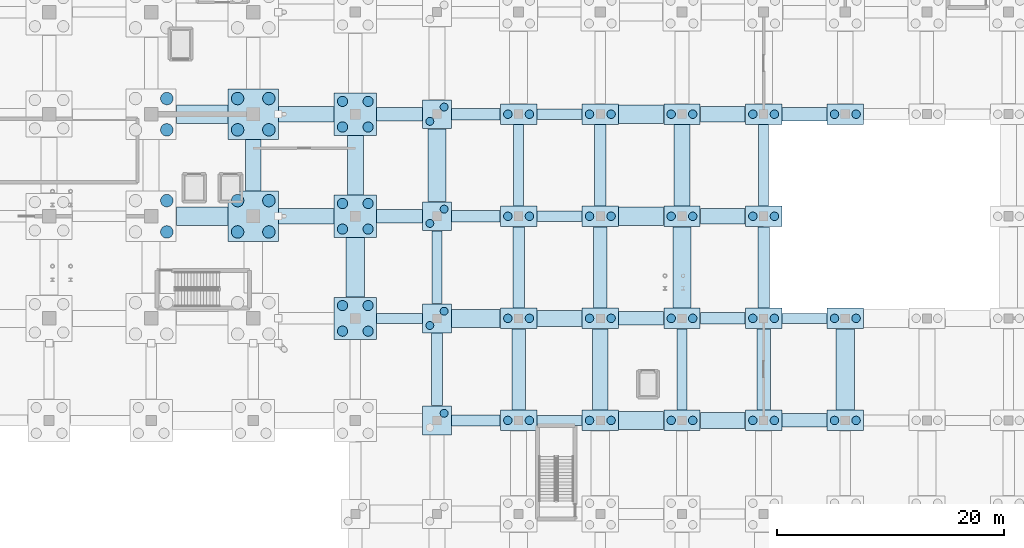
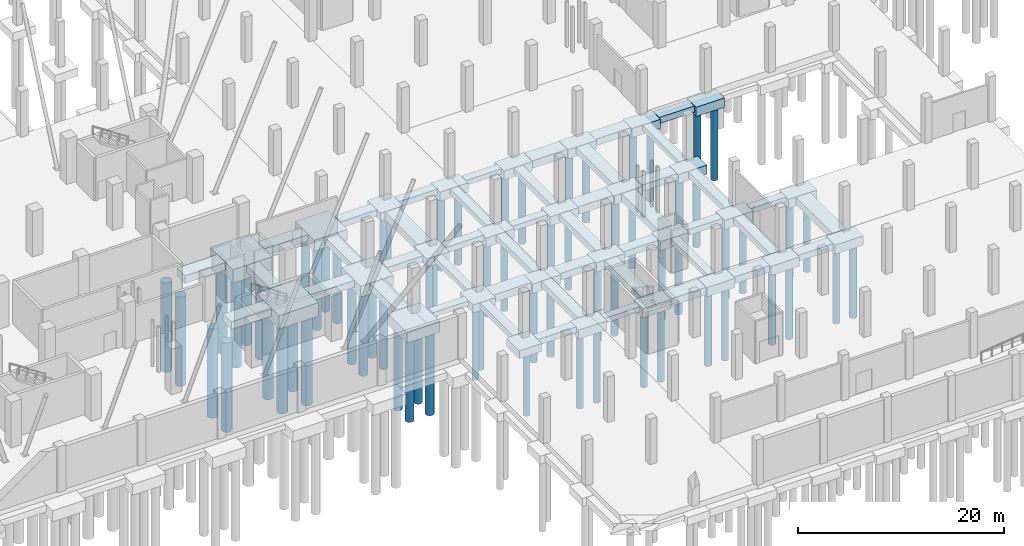
# One storey, part 4 of 42: 73 footings, 69 piles.
"""IFC4 building model written with IfcOpenShell, lengths in metres."""

from ifc_helpers import new_model, si_unit, direction, frame, origin, origin_2d, place, context, subcontext, project, spatial, rectangle, circle, extrude, material, material_profile, profile_set, type_object, element, save


model = new_model("IFC4")

# Units and contexts
model_context = context("Model", 3, precision=1e-05, world=origin(), true_north=direction((0.0, 1.0)))
body_context = subcontext(model_context, "Body", "Model", "MODEL_VIEW")
ifc_project = project(units=[si_unit("LENGTHUNIT", "METRE"), si_unit("AREAUNIT", "SQUARE_METRE"), si_unit("VOLUMEUNIT", "CUBIC_METRE"), si_unit("PLANEANGLEUNIT", "RADIAN"), si_unit("MASSUNIT", "GRAM", prefix="KILO")], contexts=[model_context])

# Site, building, storey
site_placement = place(None, origin())
site = spatial("IfcSite", under=ifc_project, at=site_placement, CompositionType="ELEMENT")
building_placement = place(site_placement, origin())
building = spatial("IfcBuilding", under=site, at=building_placement, Name="Sundgate Opera House", CompositionType="ELEMENT")
storey_placement = place(building_placement, frame((0.0, 0.0, -5.39990234375)))
storey = spatial("IfcBuildingStorey", under=building, at=storey_placement, Name="B01", CompositionType="ELEMENT", Elevation=-5.39990234375)

# Footings
ifc_material_1 = material(Name="Concrete C40/50", Category="concrete")
footing_type_1 = type_object("IfcFootingType", Name="FT-PC-2540x2540x950", PredefinedType="PILE_CAP", material=ifc_material_1)
for number, where, z_axis, x_axis, name in (
    (1, (88.199951171875, 33.0, -1.60009765625), (0.0, 0.0, 1.0), (1.0, 0.0, 0.0), "Pile Cap F0133"),
    (2, (88.199951171875, 42.0, -1.60009765625), (0.0, 0.0, 1.0), (1.0, 0.0, 0.0), "Pile Cap F0134"),
    (3, (88.199951171875, 51.0, -1.60009765625), (0.0, 0.0, 1.0), (1.0, 0.0, 0.0), "Pile Cap F0135"),
    (4, (88.199951171875, 60.0, -1.60009765625), (0.0, 0.0, 1.0), (1.0, 0.0, 0.0), "Pile Cap F0136"),
):
    element("IfcFooting", number, at=place(storey_placement, frame(where, z_axis=z_axis, x_axis=x_axis)), inside=storey, type_object=footing_type_1, Name=name, PredefinedType="PILE_CAP", context=body_context, shape_type="SweptSolid", body=[
        extrude(rectangle(XDim=2.5400390625, YDim=2.5400390625, at=origin_2d()), origin(), (0.0, 0.0, 1.0), 0.949951171875),
    ])
ifc_material_2 = material(Name="Concrete C40/50", Category="concrete")
footing_type_2 = type_object("IfcFootingType", Name="FT-PC-3200x1800x1100", PredefinedType="PILE_CAP", material=ifc_material_2)
for number, where, z_axis, x_axis, name in (
    (5, (95.39990234375, 33.0, -1.900146484375), (0.0, 0.0, 1.0), (1.0, 0.0, 0.0), "Pile Cap F0148"),
    (6, (95.39990234375, 42.0, -1.900146484375), (0.0, 0.0, 1.0), (1.0, 0.0, 0.0), "Pile Cap F0149"),
    (7, (95.39990234375, 51.0, -1.900146484375), (0.0, 0.0, 1.0), (1.0, 0.0, 0.0), "Pile Cap F0150"),
    (8, (95.39990234375, 60.0, -1.900146484375), (0.0, 0.0, 1.0), (1.0, 0.0, 0.0), "Pile Cap F0151"),
    (9, (102.60009765625, 33.0, -1.900146484375), (0.0, 0.0, 1.0), (1.0, 0.0, 0.0), "Pile Cap F0163"),
    (10, (102.60009765625, 42.0, -1.900146484375), (0.0, 0.0, 1.0), (1.0, 0.0, 0.0), "Pile Cap F0164"),
    (11, (102.60009765625, 51.0, -1.900146484375), (0.0, 0.0, 1.0), (1.0, 0.0, 0.0), "Pile Cap F0165"),
    (12, (102.60009765625, 60.0, -1.900146484375), (0.0, 0.0, 1.0), (1.0, 0.0, 0.0), "Pile Cap F0166"),
    (13, (109.800048828125, 33.0, -1.900146484375), (0.0, 0.0, 1.0), (1.0, 0.0, 0.0), "Pile Cap F0178"),
    (14, (109.800048828125, 42.0, -1.900146484375), (0.0, 0.0, 1.0), (1.0, 0.0, 0.0), "Pile Cap F0179"),
    (15, (109.800048828125, 51.0, -1.900146484375), (0.0, 0.0, 1.0), (1.0, 0.0, 0.0), "Pile Cap F0180"),
    (16, (109.800048828125, 60.0, -1.900146484375), (0.0, 0.0, 1.0), (1.0, 0.0, 0.0), "Pile Cap F0181"),
    (17, (117.0, 33.0, -1.900146484375), (0.0, 0.0, 1.0), (1.0, 0.0, 0.0), "Pile Cap F0193"),
    (18, (117.0, 42.0, -1.900146484375), (0.0, 0.0, 1.0), (1.0, 0.0, 0.0), "Pile Cap F0194"),
    (19, (117.0, 51.0, -1.900146484375), (0.0, 0.0, 1.0), (1.0, 0.0, 0.0), "Pile Cap F0195"),
    (20, (117.0, 60.0, -1.900146484375), (0.0, 0.0, 1.0), (1.0, 0.0, 0.0), "Pile Cap F0196"),
    (21, (124.199951171875, 33.0, -1.900146484375), (0.0, 0.0, 1.0), (1.0, 0.0, 0.0), "Pile Cap F0208"),
    (22, (124.199951171875, 42.0, -1.900146484375), (0.0, 0.0, 1.0), (1.0, 0.0, 0.0), "Pile Cap F0209"),
    (23, (124.199951171875, 60.0, -1.900146484375), (0.0, 0.0, 1.0), (1.0, 0.0, 0.0), "Pile Cap F0210"),
):
    element("IfcFooting", number, at=place(storey_placement, frame(where, z_axis=z_axis, x_axis=x_axis)), inside=storey, type_object=footing_type_2, Name=name, PredefinedType="PILE_CAP", context=body_context, shape_type="SweptSolid", body=[
        extrude(rectangle(XDim=3.199951171875, YDim=1.800048828125, at=origin_2d()), origin(), (0.0, 0.0, 1.0), 1.10009765625),
    ])
ifc_material_3 = material(Name="Concrete C40/50", Category="concrete")
footing_type_3 = type_object("IfcFootingType", Name="FT-PC-3720x3720x1300", PredefinedType="PILE_CAP", material=ifc_material_3)
for number, where, z_axis, x_axis, name in (
    (24, (81.0, 42.0, -2.10009765625), (0.0, 0.0, 1.0), (1.0, 0.0, 0.0), "Pile Cap F0119"),
    (25, (81.0, 51.0, -2.10009765625), (0.0, 0.0, 1.0), (1.0, 0.0, 0.0), "Pile Cap F0120"),
    (26, (81.0, 60.0, -2.10009765625), (0.0, 0.0, 1.0), (1.0, 0.0, 0.0), "Pile Cap F0121"),
):
    element("IfcFooting", number, at=place(storey_placement, frame(where, z_axis=z_axis, x_axis=x_axis)), inside=storey, type_object=footing_type_3, Name=name, PredefinedType="PILE_CAP", context=body_context, shape_type="SweptSolid", body=[
        extrude(rectangle(XDim=3.719970703125, YDim=3.719970703125, at=origin_2d()), origin(), (0.0, 0.0, 1.0), 1.300048828125),
    ])
ifc_material_4 = material(Name="Concrete C40/50", Category="concrete")
footing_type_4 = type_object("IfcFootingType", Name="FT-PC-4420x4420x1600", PredefinedType="PILE_CAP", material=ifc_material_4)
for number, where, z_axis, x_axis, name in (
    (27, (72.0, 51.0, -2.400146484375), (0.0, 0.0, 1.0), (1.0, 0.0, 0.0), "Pile Cap F0105"),
    (28, (72.0, 60.0, -2.400146484375), (0.0, 0.0, 1.0), (1.0, 0.0, 0.0), "Pile Cap F0106"),
):
    element("IfcFooting", number, at=place(storey_placement, frame(where, z_axis=z_axis, x_axis=x_axis)), inside=storey, type_object=footing_type_4, Name=name, PredefinedType="PILE_CAP", context=body_context, shape_type="SweptSolid", body=[
        extrude(rectangle(XDim=4.419921875, YDim=4.419921875, at=origin_2d()), origin(), (0.0, 0.0, 1.0), 1.60009765625),
    ])
ifc_material_5 = material(Name="Concrete C35/45", Category="concrete")
footing_type_5 = type_object("IfcFootingType", Name="FT-STR-1000x700", PredefinedType="STRIP_FOOTING", material=ifc_material_5)
footing_1_placement = place(storey_placement, frame((88.199951171875, 37.5, -1.35009765625), z_axis=(0.0, 0.0, 1.0), x_axis=(1.0, 0.0, 0.0)))
element("IfcFooting", 29, at=footing_1_placement, inside=storey, type_object=footing_type_5, Name="Strip Footing F0412", PredefinedType="STRIP_FOOTING", context=body_context, shape_type="SweptSolid", body=[
    extrude(rectangle(XDim=1.0, YDim=6.409912109375, at=origin_2d()), origin(), (0.0, 0.0, 1.0), 0.699951171875),
])
for number, where, z_axis, x_axis, name in (
    (30, (95.39990234375, 46.5, -1.5), (0.0, 0.0, 1.0), (1.0, 0.0, 0.0), "Strip Footing F0427"),
    (31, (102.60009765625, 55.5, -1.5), (0.0, 0.0, 1.0), (1.0, 0.0, 0.0), "Strip Footing F0442"),
    (32, (117.0, 46.5, -1.5), (0.0, 0.0, 1.0), (1.0, 0.0, 0.0), "Strip Footing F0467"),
):
    element("IfcFooting", number, at=place(storey_placement, frame(where, z_axis=z_axis, x_axis=x_axis)), inside=storey, type_object=footing_type_5, Name=name, PredefinedType="STRIP_FOOTING", context=body_context, shape_type="SweptSolid", body=[
        extrude(rectangle(XDim=1.0, YDim=7.14990234375, at=origin_2d()), origin(), (0.0, 0.0, 1.0), 0.699951171875),
    ])
footing_2_placement = place(storey_placement, frame((91.635009765625, 33.0, -1.35009765625), z_axis=(0.0, 0.0, 1.0), x_axis=(1.0, 0.0, 0.0)))
element("IfcFooting", 33, at=footing_2_placement, inside=storey, type_object=footing_type_5, Name="Strip Footing F0612", PredefinedType="STRIP_FOOTING", context=body_context, shape_type="SweptSolid", body=[
    extrude(rectangle(XDim=4.280029296875, YDim=1.0, at=origin_2d()), origin(), (0.0, 0.0, 1.0), 0.699951171875),
])
footing_3_placement = place(storey_placement, frame((113.39990234375, 42.0, -1.5), z_axis=(0.0, 0.0, 1.0), x_axis=(1.0, 0.0, 0.0)))
element("IfcFooting", 34, at=footing_3_placement, inside=storey, type_object=footing_type_5, Name="Strip Footing F0637", PredefinedType="STRIP_FOOTING", context=body_context, shape_type="SweptSolid", body=[
    extrude(rectangle(XDim=3.949951171875, YDim=1.0, at=origin_2d()), origin(), (0.0, 0.0, 1.0), 0.699951171875),
])
for number, where, z_axis, x_axis, name in (
    (35, (91.635009765625, 51.0, -1.35009765625), (0.0, 0.0, 1.0), (1.0, 0.0, 0.0), "Strip Footing F0652"),
    (36, (91.635009765625, 60.0, -1.35009765625), (0.0, 0.0, 1.0), (1.0, 0.0, 0.0), "Strip Footing F0667"),
):
    element("IfcFooting", number, at=place(storey_placement, frame(where, z_axis=z_axis, x_axis=x_axis)), inside=storey, type_object=footing_type_5, Name=name, PredefinedType="STRIP_FOOTING", context=body_context, shape_type="SweptSolid", body=[
        extrude(rectangle(XDim=4.280029296875, YDim=1.0, at=origin_2d()), origin(), (0.0, 0.0, 1.0), 0.699951171875),
    ])
ifc_material_6 = material(Name="Concrete C35/45", Category="concrete")
footing_type_6 = type_object("IfcFootingType", Name="FT-STR-1200x750", PredefinedType="STRIP_FOOTING", material=ifc_material_6)
for number, where, z_axis, x_axis, name in (
    (37, (95.39990234375, 37.5, -1.550048828125), (0.0, 0.0, 1.0), (1.0, 0.0, 0.0), "Strip Footing F0426"),
    (38, (102.60009765625, 46.5, -1.550048828125), (0.0, 0.0, 1.0), (1.0, 0.0, 0.0), "Strip Footing F0441"),
    (39, (117.0, 37.5, -1.550048828125), (0.0, 0.0, 1.0), (1.0, 0.0, 0.0), "Strip Footing F0466"),
):
    element("IfcFooting", number, at=place(storey_placement, frame(where, z_axis=z_axis, x_axis=x_axis)), inside=storey, type_object=footing_type_6, Name=name, PredefinedType="STRIP_FOOTING", context=body_context, shape_type="SweptSolid", body=[
        extrude(rectangle(XDim=1.199951171875, YDim=7.14990234375, at=origin_2d()), origin(), (0.0, 0.0, 1.0), 0.75),
    ])
for number, where, z_axis, x_axis, name in (
    (40, (120.60009765625, 33.0, -1.550048828125), (0.0, 0.0, 1.0), (1.0, 0.0, 0.0), "Strip Footing F0616"),
    (41, (106.199951171875, 42.0, -1.550048828125), (0.0, 0.0, 1.0), (1.0, 0.0, 0.0), "Strip Footing F0636"),
):
    element("IfcFooting", number, at=place(storey_placement, frame(where, z_axis=z_axis, x_axis=x_axis)), inside=storey, type_object=footing_type_6, Name=name, PredefinedType="STRIP_FOOTING", context=body_context, shape_type="SweptSolid", body=[
        extrude(rectangle(XDim=3.949951171875, YDim=1.199951171875, at=origin_2d()), origin(), (0.0, 0.0, 1.0), 0.75),
    ])
for number, where, z_axis, x_axis, name in (
    (42, (84.89501953125, 51.0, -1.400146484375), (0.0, 0.0, 1.0), (1.0, 0.0, 0.0), "Strip Footing F0651"),
    (43, (84.89501953125, 60.0, -1.400146484375), (0.0, 0.0, 1.0), (1.0, 0.0, 0.0), "Strip Footing F0666"),
):
    element("IfcFooting", number, at=place(storey_placement, frame(where, z_axis=z_axis, x_axis=x_axis)), inside=storey, type_object=footing_type_6, Name=name, PredefinedType="STRIP_FOOTING", context=body_context, shape_type="SweptSolid", body=[
        extrude(rectangle(XDim=4.02001953125, YDim=1.199951171875, at=origin_2d()), origin(), (0.0, 0.0, 1.0), 0.75),
    ])
footing_4_placement = place(storey_placement, frame((120.60009765625, 60.0, -1.550048828125), z_axis=(0.0, 0.0, 1.0), x_axis=(1.0, 0.0, 0.0)))
element("IfcFooting", 44, at=footing_4_placement, inside=storey, type_object=footing_type_6, Name="Strip Footing F0671", PredefinedType="STRIP_FOOTING", context=body_context, shape_type="SweptSolid", body=[
    extrude(rectangle(XDim=3.949951171875, YDim=1.199951171875, at=origin_2d()), origin(), (0.0, 0.0, 1.0), 0.75),
])
ifc_material_7 = material(Name="Concrete C35/45", Category="concrete")
footing_type_7 = type_object("IfcFootingType", Name="FT-STR-1400x800", PredefinedType="STRIP_FOOTING", material=ifc_material_7)
footing_5_placement = place(storey_placement, frame((72.0, 55.5, -1.60009765625), z_axis=(0.0, 0.0, 1.0), x_axis=(1.0, 0.0, 0.0)))
element("IfcFooting", 45, at=footing_5_placement, inside=storey, type_object=footing_type_7, Name="Strip Footing F0390", PredefinedType="STRIP_FOOTING", context=body_context, shape_type="SweptSolid", body=[
    extrude(rectangle(XDim=1.39990234375, YDim=4.530029296875, at=origin_2d()), origin(), (0.0, 0.0, 1.0), 0.800048828125),
])
footing_6_placement = place(storey_placement, frame((81.0, 55.5, -1.60009765625), z_axis=(0.0, 0.0, 1.0), x_axis=(1.0, 0.0, 0.0)))
element("IfcFooting", 46, at=footing_6_placement, inside=storey, type_object=footing_type_7, Name="Strip Footing F0400", PredefinedType="STRIP_FOOTING", context=body_context, shape_type="SweptSolid", body=[
    extrude(rectangle(XDim=1.39990234375, YDim=5.22998046875, at=origin_2d()), origin(), (0.0, 0.0, 1.0), 0.800048828125),
])
for number, where, z_axis, x_axis, name in (
    (47, (102.60009765625, 37.5, -1.60009765625), (0.0, 0.0, 1.0), (1.0, 0.0, 0.0), "Strip Footing F0440"),
    (48, (109.800048828125, 55.5, -1.60009765625), (0.0, 0.0, 1.0), (1.0, 0.0, 0.0), "Strip Footing F0455"),
):
    element("IfcFooting", number, at=place(storey_placement, frame(where, z_axis=z_axis, x_axis=x_axis)), inside=storey, type_object=footing_type_7, Name=name, PredefinedType="STRIP_FOOTING", context=body_context, shape_type="SweptSolid", body=[
        extrude(rectangle(XDim=1.39990234375, YDim=7.14990234375, at=origin_2d()), origin(), (0.0, 0.0, 1.0), 0.800048828125),
    ])
for number, where, z_axis, x_axis, name in (
    (49, (113.39990234375, 33.0, -1.60009765625), (0.0, 0.0, 1.0), (1.0, 0.0, 0.0), "Strip Footing F0615"),
    (50, (99.0, 42.0, -1.60009765625), (0.0, 0.0, 1.0), (1.0, 0.0, 0.0), "Strip Footing F0635"),
):
    element("IfcFooting", number, at=place(storey_placement, frame(where, z_axis=z_axis, x_axis=x_axis)), inside=storey, type_object=footing_type_7, Name=name, PredefinedType="STRIP_FOOTING", context=body_context, shape_type="SweptSolid", body=[
        extrude(rectangle(XDim=3.949951171875, YDim=1.39990234375, at=origin_2d()), origin(), (0.0, 0.0, 1.0), 0.800048828125),
    ])
footing_7_placement = place(storey_placement, frame((76.675048828125, 51.0, -1.60009765625), z_axis=(0.0, 0.0, 1.0), x_axis=(1.0, 0.0, 0.0)))
element("IfcFooting", 51, at=footing_7_placement, inside=storey, type_object=footing_type_7, Name="Strip Footing F0650", PredefinedType="STRIP_FOOTING", context=body_context, shape_type="SweptSolid", body=[
    extrude(rectangle(XDim=4.8798828125, YDim=1.39990234375, at=origin_2d()), origin(), (0.0, 0.0, 1.0), 0.800048828125),
])
footing_8_placement = place(storey_placement, frame((113.39990234375, 51.0, -1.60009765625), z_axis=(0.0, 0.0, 1.0), x_axis=(1.0, 0.0, 0.0)))
element("IfcFooting", 52, at=footing_8_placement, inside=storey, type_object=footing_type_7, Name="Strip Footing F0655", PredefinedType="STRIP_FOOTING", context=body_context, shape_type="SweptSolid", body=[
    extrude(rectangle(XDim=3.949951171875, YDim=1.39990234375, at=origin_2d()), origin(), (0.0, 0.0, 1.0), 0.800048828125),
])
footing_9_placement = place(storey_placement, frame((76.675048828125, 60.0, -1.60009765625), z_axis=(0.0, 0.0, 1.0), x_axis=(1.0, 0.0, 0.0)))
element("IfcFooting", 53, at=footing_9_placement, inside=storey, type_object=footing_type_7, Name="Strip Footing F0665", PredefinedType="STRIP_FOOTING", context=body_context, shape_type="SweptSolid", body=[
    extrude(rectangle(XDim=4.8798828125, YDim=1.39990234375, at=origin_2d()), origin(), (0.0, 0.0, 1.0), 0.800048828125),
])
footing_10_placement = place(storey_placement, frame((113.39990234375, 60.0, -1.60009765625), z_axis=(0.0, 0.0, 1.0), x_axis=(1.0, 0.0, 0.0)))
element("IfcFooting", 54, at=footing_10_placement, inside=storey, type_object=footing_type_7, Name="Strip Footing F0670", PredefinedType="STRIP_FOOTING", context=body_context, shape_type="SweptSolid", body=[
    extrude(rectangle(XDim=3.949951171875, YDim=1.39990234375, at=origin_2d()), origin(), (0.0, 0.0, 1.0), 0.800048828125),
])
ifc_material_8 = material(Name="Concrete C35/45", Category="concrete")
footing_type_8 = type_object("IfcFootingType", Name="FT-STR-1600x900", PredefinedType="STRIP_FOOTING", material=ifc_material_8)
footing_11_placement = place(storey_placement, frame((81.0, 46.5, -1.699951171875), z_axis=(0.0, 0.0, 1.0), x_axis=(1.0, 0.0, 0.0)))
element("IfcFooting", 55, at=footing_11_placement, inside=storey, type_object=footing_type_8, Name="Strip Footing F0399", PredefinedType="STRIP_FOOTING", context=body_context, shape_type="SweptSolid", body=[
    extrude(rectangle(XDim=1.60009765625, YDim=5.22998046875, at=origin_2d()), origin(), (0.0, 0.0, 1.0), 0.89990234375),
])
footing_12_placement = place(storey_placement, frame((88.199951171875, 55.5, -1.550048828125), z_axis=(0.0, 0.0, 1.0), x_axis=(1.0, 0.0, 0.0)))
element("IfcFooting", 56, at=footing_12_placement, inside=storey, type_object=footing_type_8, Name="Strip Footing F0414", PredefinedType="STRIP_FOOTING", context=body_context, shape_type="SweptSolid", body=[
    extrude(rectangle(XDim=1.60009765625, YDim=6.409912109375, at=origin_2d()), origin(), (0.0, 0.0, 1.0), 0.89990234375),
])
for number, where, z_axis, x_axis, name in (
    (57, (109.800048828125, 46.5, -1.699951171875), (0.0, 0.0, 1.0), (1.0, 0.0, 0.0), "Strip Footing F0454"),
    (58, (124.199951171875, 37.5, -1.699951171875), (0.0, 0.0, 1.0), (1.0, 0.0, 0.0), "Strip Footing F0479"),
):
    element("IfcFooting", number, at=place(storey_placement, frame(where, z_axis=z_axis, x_axis=x_axis)), inside=storey, type_object=footing_type_8, Name=name, PredefinedType="STRIP_FOOTING", context=body_context, shape_type="SweptSolid", body=[
        extrude(rectangle(XDim=1.60009765625, YDim=7.14990234375, at=origin_2d()), origin(), (0.0, 0.0, 1.0), 0.89990234375),
    ])
footing_13_placement = place(storey_placement, frame((106.199951171875, 33.0, -1.699951171875), z_axis=(0.0, 0.0, 1.0), x_axis=(1.0, 0.0, 0.0)))
element("IfcFooting", 59, at=footing_13_placement, inside=storey, type_object=footing_type_8, Name="Strip Footing F0614", PredefinedType="STRIP_FOOTING", context=body_context, shape_type="SweptSolid", body=[
    extrude(rectangle(XDim=3.949951171875, YDim=1.60009765625, at=origin_2d()), origin(), (0.0, 0.0, 1.0), 0.89990234375),
])
footing_14_placement = place(storey_placement, frame((91.635009765625, 42.0, -1.550048828125), z_axis=(0.0, 0.0, 1.0), x_axis=(1.0, 0.0, 0.0)))
element("IfcFooting", 60, at=footing_14_placement, inside=storey, type_object=footing_type_8, Name="Strip Footing F0634", PredefinedType="STRIP_FOOTING", context=body_context, shape_type="SweptSolid", body=[
    extrude(rectangle(XDim=4.280029296875, YDim=1.60009765625, at=origin_2d()), origin(), (0.0, 0.0, 1.0), 0.89990234375),
])
footing_15_placement = place(storey_placement, frame((67.5, 51.0, -1.699951171875), z_axis=(0.0, 0.0, 1.0), x_axis=(1.0, 0.0, 0.0)))
element("IfcFooting", 61, at=footing_15_placement, inside=storey, type_object=footing_type_8, Name="Strip Footing F0649", PredefinedType="STRIP_FOOTING", context=body_context, shape_type="SweptSolid", body=[
    extrude(rectangle(XDim=4.530029296875, YDim=1.60009765625, at=origin_2d()), origin(), (0.0, 0.0, 1.0), 0.89990234375),
])
footing_16_placement = place(storey_placement, frame((106.199951171875, 51.0, -1.699951171875), z_axis=(0.0, 0.0, 1.0), x_axis=(1.0, 0.0, 0.0)))
element("IfcFooting", 62, at=footing_16_placement, inside=storey, type_object=footing_type_8, Name="Strip Footing F0654", PredefinedType="STRIP_FOOTING", context=body_context, shape_type="SweptSolid", body=[
    extrude(rectangle(XDim=3.949951171875, YDim=1.60009765625, at=origin_2d()), origin(), (0.0, 0.0, 1.0), 0.89990234375),
])
footing_17_placement = place(storey_placement, frame((67.5, 60.0, -1.699951171875), z_axis=(0.0, 0.0, 1.0), x_axis=(1.0, 0.0, 0.0)))
element("IfcFooting", 63, at=footing_17_placement, inside=storey, type_object=footing_type_8, Name="Strip Footing F0664", PredefinedType="STRIP_FOOTING", context=body_context, shape_type="SweptSolid", body=[
    extrude(rectangle(XDim=4.530029296875, YDim=1.60009765625, at=origin_2d()), origin(), (0.0, 0.0, 1.0), 0.89990234375),
])
footing_18_placement = place(storey_placement, frame((106.199951171875, 60.0, -1.699951171875), z_axis=(0.0, 0.0, 1.0), x_axis=(1.0, 0.0, 0.0)))
element("IfcFooting", 64, at=footing_18_placement, inside=storey, type_object=footing_type_8, Name="Strip Footing F0669", PredefinedType="STRIP_FOOTING", context=body_context, shape_type="SweptSolid", body=[
    extrude(rectangle(XDim=3.949951171875, YDim=1.60009765625, at=origin_2d()), origin(), (0.0, 0.0, 1.0), 0.89990234375),
])
ifc_material_9 = material(Name="Concrete C35/45", Category="concrete")
footing_type_9 = type_object("IfcFootingType", Name="FT-STR-900x600", PredefinedType="STRIP_FOOTING", material=ifc_material_9)
footing_19_placement = place(storey_placement, frame((88.199951171875, 46.5, -1.250244140625), z_axis=(0.0, 0.0, 1.0), x_axis=(1.0, 0.0, 0.0)))
element("IfcFooting", 65, at=footing_19_placement, inside=storey, type_object=footing_type_9, Name="Strip Footing F0413", PredefinedType="STRIP_FOOTING", context=body_context, shape_type="SweptSolid", body=[
    extrude(rectangle(XDim=0.89990234375, YDim=6.409912109375, at=origin_2d()), origin(), (0.0, 0.0, 1.0), 0.60009765625),
])
for number, where, z_axis, x_axis, name in (
    (66, (95.39990234375, 55.5, -1.400146484375), (0.0, 0.0, 1.0), (1.0, 0.0, 0.0), "Strip Footing F0428"),
    (67, (109.800048828125, 37.5, -1.400146484375), (0.0, 0.0, 1.0), (1.0, 0.0, 0.0), "Strip Footing F0453"),
    (68, (117.0, 55.5, -1.400146484375), (0.0, 0.0, 1.0), (1.0, 0.0, 0.0), "Strip Footing F0468"),
):
    element("IfcFooting", number, at=place(storey_placement, frame(where, z_axis=z_axis, x_axis=x_axis)), inside=storey, type_object=footing_type_9, Name=name, PredefinedType="STRIP_FOOTING", context=body_context, shape_type="SweptSolid", body=[
        extrude(rectangle(XDim=0.89990234375, YDim=7.14990234375, at=origin_2d()), origin(), (0.0, 0.0, 1.0), 0.60009765625),
    ])
footing_20_placement = place(storey_placement, frame((99.0, 33.0, -1.400146484375), z_axis=(0.0, 0.0, 1.0), x_axis=(1.0, 0.0, 0.0)))
element("IfcFooting", 69, at=footing_20_placement, inside=storey, type_object=footing_type_9, Name="Strip Footing F0613", PredefinedType="STRIP_FOOTING", context=body_context, shape_type="SweptSolid", body=[
    extrude(rectangle(XDim=3.949951171875, YDim=0.89990234375, at=origin_2d()), origin(), (0.0, 0.0, 1.0), 0.60009765625),
])
footing_21_placement = place(storey_placement, frame((84.89501953125, 42.0, -1.250244140625), z_axis=(0.0, 0.0, 1.0), x_axis=(1.0, 0.0, 0.0)))
element("IfcFooting", 70, at=footing_21_placement, inside=storey, type_object=footing_type_9, Name="Strip Footing F0633", PredefinedType="STRIP_FOOTING", context=body_context, shape_type="SweptSolid", body=[
    extrude(rectangle(XDim=4.02001953125, YDim=0.89990234375, at=origin_2d()), origin(), (0.0, 0.0, 1.0), 0.60009765625),
])
for number, where, z_axis, x_axis, name in (
    (71, (120.60009765625, 42.0, -1.400146484375), (0.0, 0.0, 1.0), (1.0, 0.0, 0.0), "Strip Footing F0638"),
    (72, (99.0, 51.0, -1.400146484375), (0.0, 0.0, 1.0), (1.0, 0.0, 0.0), "Strip Footing F0653"),
    (73, (99.0, 60.0, -1.400146484375), (0.0, 0.0, 1.0), (1.0, 0.0, 0.0), "Strip Footing F0668"),
):
    element("IfcFooting", number, at=place(storey_placement, frame(where, z_axis=z_axis, x_axis=x_axis)), inside=storey, type_object=footing_type_9, Name=name, PredefinedType="STRIP_FOOTING", context=body_context, shape_type="SweptSolid", body=[
        extrude(rectangle(XDim=3.949951171875, YDim=0.89990234375, at=origin_2d()), origin(), (0.0, 0.0, 1.0), 0.60009765625),
    ])

# Piles
ifc_material_10 = material(Name="Concrete C40/50", Category="concrete")
ifc_material_profile_1 = material_profile(ifc_material_10, circle(Radius=0.550048828125, at=origin_2d()), Name="PILE D1100")
ifc_profile_set_1 = profile_set([ifc_material_profile_1], Name="Concrete C40/50")
pile_type_1 = type_object("IfcPileType", Name="PL-1100", PredefinedType="BORED", material=ifc_profile_set_1)
for number, where, z_axis, x_axis, name in (
    (74, (64.3798828125, 49.6201171875, -2.300048828125), (0.0, 0.0, -1.0), (1.0, 0.0, 0.0), "Rock-Socketed Pile P0249"),
    (75, (64.3798828125, 52.3798828125, -2.300048828125), (0.0, 0.0, -1.0), (1.0, 0.0, 0.0), "Rock-Socketed Pile P0250"),
    (76, (64.3798828125, 58.6201171875, -2.300048828125), (0.0, 0.0, -1.0), (1.0, 0.0, 0.0), "Rock-Socketed Pile P0253"),
    (77, (64.3798828125, 61.3798828125, -2.300048828125), (0.0, 0.0, -1.0), (1.0, 0.0, 0.0), "Rock-Socketed Pile P0254"),
    (78, (70.6201171875, 49.6201171875, -2.300048828125), (0.0, 0.0, -1.0), (1.0, 0.0, 0.0), "Rock-Socketed Pile P0283"),
    (79, (70.6201171875, 52.3798828125, -2.300048828125), (0.0, 0.0, -1.0), (1.0, 0.0, 0.0), "Rock-Socketed Pile P0284"),
    (80, (73.3798828125, 49.6201171875, -2.300048828125), (0.0, 0.0, -1.0), (1.0, 0.0, 0.0), "Rock-Socketed Pile P0285"),
    (81, (73.3798828125, 52.3798828125, -2.300048828125), (0.0, 0.0, -1.0), (1.0, 0.0, 0.0), "Rock-Socketed Pile P0286"),
    (82, (70.6201171875, 58.6201171875, -2.300048828125), (0.0, 0.0, -1.0), (1.0, 0.0, 0.0), "Rock-Socketed Pile P0287"),
    (83, (70.6201171875, 61.3798828125, -2.300048828125), (0.0, 0.0, -1.0), (1.0, 0.0, 0.0), "Rock-Socketed Pile P0288"),
    (84, (73.3798828125, 58.6201171875, -2.300048828125), (0.0, 0.0, -1.0), (1.0, 0.0, 0.0), "Rock-Socketed Pile P0289"),
    (85, (73.3798828125, 61.3798828125, -2.300048828125), (0.0, 0.0, -1.0), (1.0, 0.0, 0.0), "Rock-Socketed Pile P0290"),
):
    element("IfcPile", number, at=place(storey_placement, frame(where, z_axis=z_axis, x_axis=x_axis)), inside=storey, type_object=pile_type_1, Name=name, PredefinedType="BORED", context=body_context, shape_type="SweptSolid", body=[
        extrude(circle(Radius=0.550048828125, at=origin_2d()), origin(), (0.0, 0.0, 1.0), 10.60009765625),
    ])
ifc_material_11 = material(Name="Concrete C40/50", Category="concrete")
ifc_material_profile_2 = material_profile(ifc_material_11, circle(Radius=0.35009765625, at=origin_2d()), Name="PILE D700")
ifc_profile_set_2 = profile_set([ifc_material_profile_2], Name="Concrete C40/50")
pile_type_2 = type_object("IfcPileType", Name="PL-700", PredefinedType="BORED", material=ifc_profile_set_2)
for number, where, z_axis, x_axis, name in (
    (86, (88.830078125, 33.6298828125, -1.5), (0.0, 0.0, -1.0), (1.0, 0.0, 0.0), "Rock-Socketed Pile P0364"),
    (87, (87.570068359375, 41.3701171875, -1.5), (0.0, 0.0, -1.0), (1.0, 0.0, 0.0), "Rock-Socketed Pile P0365"),
    (88, (88.830078125, 42.6298828125, -1.5), (0.0, 0.0, -1.0), (1.0, 0.0, 0.0), "Rock-Socketed Pile P0366"),
    (89, (87.570068359375, 50.3701171875, -1.5), (0.0, 0.0, -1.0), (1.0, 0.0, 0.0), "Rock-Socketed Pile P0367"),
    (90, (88.830078125, 51.6298828125, -1.5), (0.0, 0.0, -1.0), (1.0, 0.0, 0.0), "Rock-Socketed Pile P0368"),
    (91, (87.570068359375, 59.3701171875, -1.5), (0.0, 0.0, -1.0), (1.0, 0.0, 0.0), "Rock-Socketed Pile P0369"),
    (92, (88.830078125, 60.6298828125, -1.5), (0.0, 0.0, -1.0), (1.0, 0.0, 0.0), "Rock-Socketed Pile P0370"),
):
    element("IfcPile", number, at=place(storey_placement, frame(where, z_axis=z_axis, x_axis=x_axis)), inside=storey, type_object=pile_type_2, Name=name, PredefinedType="BORED", context=body_context, shape_type="SweptSolid", body=[
        extrude(circle(Radius=0.35009765625, at=origin_2d()), origin(), (0.0, 0.0, 1.0), 8.5),
    ])
ifc_material_12 = material(Name="Concrete C40/50", Category="concrete")
ifc_material_profile_3 = material_profile(ifc_material_12, circle(Radius=0.375, at=origin_2d()), Name="PILE D750")
ifc_profile_set_3 = profile_set([ifc_material_profile_3], Name="Concrete C40/50")
pile_type_3 = type_object("IfcPileType", Name="PL-750", PredefinedType="BORED", material=ifc_profile_set_3)
for number, where, z_axis, x_axis, name in (
    (93, (94.449951171875, 33.0, -1.800048828125), (0.0, 0.0, -1.0), (1.0, 0.0, 0.0), "Rock-Socketed Pile P0401"),
    (94, (96.35009765625, 33.0, -1.800048828125), (0.0, 0.0, -1.0), (1.0, 0.0, 0.0), "Rock-Socketed Pile P0402"),
    (95, (94.449951171875, 42.0, -1.800048828125), (0.0, 0.0, -1.0), (1.0, 0.0, 0.0), "Rock-Socketed Pile P0403"),
    (96, (96.35009765625, 42.0, -1.800048828125), (0.0, 0.0, -1.0), (1.0, 0.0, 0.0), "Rock-Socketed Pile P0404"),
    (97, (94.449951171875, 51.0, -1.800048828125), (0.0, 0.0, -1.0), (1.0, 0.0, 0.0), "Rock-Socketed Pile P0405"),
    (98, (96.35009765625, 51.0, -1.800048828125), (0.0, 0.0, -1.0), (1.0, 0.0, 0.0), "Rock-Socketed Pile P0406"),
    (99, (94.449951171875, 60.0, -1.800048828125), (0.0, 0.0, -1.0), (1.0, 0.0, 0.0), "Rock-Socketed Pile P0407"),
    (100, (96.35009765625, 60.0, -1.800048828125), (0.0, 0.0, -1.0), (1.0, 0.0, 0.0), "Rock-Socketed Pile P0408"),
    (101, (101.64990234375, 33.0, -1.800048828125), (0.0, 0.0, -1.0), (1.0, 0.0, 0.0), "Rock-Socketed Pile P0449"),
    (102, (103.550048828125, 33.0, -1.800048828125), (0.0, 0.0, -1.0), (1.0, 0.0, 0.0), "Rock-Socketed Pile P0450"),
    (103, (101.64990234375, 42.0, -1.800048828125), (0.0, 0.0, -1.0), (1.0, 0.0, 0.0), "Rock-Socketed Pile P0451"),
    (104, (103.550048828125, 42.0, -1.800048828125), (0.0, 0.0, -1.0), (1.0, 0.0, 0.0), "Rock-Socketed Pile P0452"),
    (105, (101.64990234375, 51.0, -1.800048828125), (0.0, 0.0, -1.0), (1.0, 0.0, 0.0), "Rock-Socketed Pile P0453"),
    (106, (103.550048828125, 51.0, -1.800048828125), (0.0, 0.0, -1.0), (1.0, 0.0, 0.0), "Rock-Socketed Pile P0454"),
    (107, (101.64990234375, 60.0, -1.800048828125), (0.0, 0.0, -1.0), (1.0, 0.0, 0.0), "Rock-Socketed Pile P0455"),
    (108, (103.550048828125, 60.0, -1.800048828125), (0.0, 0.0, -1.0), (1.0, 0.0, 0.0), "Rock-Socketed Pile P0456"),
    (109, (108.85009765625, 33.0, -1.800048828125), (0.0, 0.0, -1.0), (1.0, 0.0, 0.0), "Rock-Socketed Pile P0497"),
    (110, (110.75, 33.0, -1.800048828125), (0.0, 0.0, -1.0), (1.0, 0.0, 0.0), "Rock-Socketed Pile P0498"),
    (111, (108.85009765625, 42.0, -1.800048828125), (0.0, 0.0, -1.0), (1.0, 0.0, 0.0), "Rock-Socketed Pile P0499"),
    (112, (110.75, 42.0, -1.800048828125), (0.0, 0.0, -1.0), (1.0, 0.0, 0.0), "Rock-Socketed Pile P0500"),
    (113, (108.85009765625, 51.0, -1.800048828125), (0.0, 0.0, -1.0), (1.0, 0.0, 0.0), "Rock-Socketed Pile P0501"),
    (114, (110.75, 51.0, -1.800048828125), (0.0, 0.0, -1.0), (1.0, 0.0, 0.0), "Rock-Socketed Pile P0502"),
    (115, (108.85009765625, 60.0, -1.800048828125), (0.0, 0.0, -1.0), (1.0, 0.0, 0.0), "Rock-Socketed Pile P0503"),
    (116, (110.75, 60.0, -1.800048828125), (0.0, 0.0, -1.0), (1.0, 0.0, 0.0), "Rock-Socketed Pile P0504"),
    (117, (116.050048828125, 33.0, -1.800048828125), (0.0, 0.0, -1.0), (1.0, 0.0, 0.0), "Rock-Socketed Pile P0545"),
    (118, (117.949951171875, 33.0, -1.800048828125), (0.0, 0.0, -1.0), (1.0, 0.0, 0.0), "Rock-Socketed Pile P0546"),
    (119, (116.050048828125, 42.0, -1.800048828125), (0.0, 0.0, -1.0), (1.0, 0.0, 0.0), "Rock-Socketed Pile P0547"),
    (120, (117.949951171875, 42.0, -1.800048828125), (0.0, 0.0, -1.0), (1.0, 0.0, 0.0), "Rock-Socketed Pile P0548"),
    (121, (116.050048828125, 51.0, -1.800048828125), (0.0, 0.0, -1.0), (1.0, 0.0, 0.0), "Rock-Socketed Pile P0549"),
    (122, (117.949951171875, 51.0, -1.800048828125), (0.0, 0.0, -1.0), (1.0, 0.0, 0.0), "Rock-Socketed Pile P0550"),
    (123, (116.050048828125, 60.0, -1.800048828125), (0.0, 0.0, -1.0), (1.0, 0.0, 0.0), "Rock-Socketed Pile P0551"),
    (124, (117.949951171875, 60.0, -1.800048828125), (0.0, 0.0, -1.0), (1.0, 0.0, 0.0), "Rock-Socketed Pile P0552"),
    (125, (123.25, 33.0, -1.800048828125), (0.0, 0.0, -1.0), (1.0, 0.0, 0.0), "Rock-Socketed Pile P0593"),
    (126, (125.14990234375, 33.0, -1.800048828125), (0.0, 0.0, -1.0), (1.0, 0.0, 0.0), "Rock-Socketed Pile P0594"),
    (127, (123.25, 42.0, -1.800048828125), (0.0, 0.0, -1.0), (1.0, 0.0, 0.0), "Rock-Socketed Pile P0595"),
    (128, (125.14990234375, 42.0, -1.800048828125), (0.0, 0.0, -1.0), (1.0, 0.0, 0.0), "Rock-Socketed Pile P0596"),
    (129, (123.25, 60.0, -1.800048828125), (0.0, 0.0, -1.0), (1.0, 0.0, 0.0), "Rock-Socketed Pile P0597"),
    (130, (125.14990234375, 60.0, -1.800048828125), (0.0, 0.0, -1.0), (1.0, 0.0, 0.0), "Rock-Socketed Pile P0598"),
):
    element("IfcPile", number, at=place(storey_placement, frame(where, z_axis=z_axis, x_axis=x_axis)), inside=storey, type_object=pile_type_3, Name=name, PredefinedType="BORED", context=body_context, shape_type="SweptSolid", body=[
        extrude(circle(Radius=0.375, at=origin_2d()), origin(), (0.0, 0.0, 1.0), 8.89990234375),
    ])
ifc_material_13 = material(Name="Concrete C40/50", Category="concrete")
ifc_material_profile_4 = material_profile(ifc_material_13, circle(Radius=0.449951171875, at=origin_2d()), Name="PILE D900")
ifc_profile_set_4 = profile_set([ifc_material_profile_4], Name="Concrete C40/50")
pile_type_4 = type_object("IfcPileType", Name="PL-900", PredefinedType="BORED", material=ifc_profile_set_4)
for number, where, z_axis, x_axis, name in (
    (131, (79.8701171875, 40.8701171875, -2.0), (0.0, 0.0, -1.0), (1.0, 0.0, 0.0), "Rock-Socketed Pile P0323"),
    (132, (79.8701171875, 43.1298828125, -2.0), (0.0, 0.0, -1.0), (1.0, 0.0, 0.0), "Rock-Socketed Pile P0324"),
    (133, (82.1298828125, 40.8701171875, -2.0), (0.0, 0.0, -1.0), (1.0, 0.0, 0.0), "Rock-Socketed Pile P0325"),
    (134, (82.1298828125, 43.1298828125, -2.0), (0.0, 0.0, -1.0), (1.0, 0.0, 0.0), "Rock-Socketed Pile P0326"),
    (135, (79.8701171875, 49.8701171875, -2.0), (0.0, 0.0, -1.0), (1.0, 0.0, 0.0), "Rock-Socketed Pile P0327"),
    (136, (79.8701171875, 52.1298828125, -2.0), (0.0, 0.0, -1.0), (1.0, 0.0, 0.0), "Rock-Socketed Pile P0328"),
    (137, (82.1298828125, 49.8701171875, -2.0), (0.0, 0.0, -1.0), (1.0, 0.0, 0.0), "Rock-Socketed Pile P0329"),
    (138, (82.1298828125, 52.1298828125, -2.0), (0.0, 0.0, -1.0), (1.0, 0.0, 0.0), "Rock-Socketed Pile P0330"),
    (139, (79.8701171875, 58.8701171875, -2.0), (0.0, 0.0, -1.0), (1.0, 0.0, 0.0), "Rock-Socketed Pile P0331"),
    (140, (79.8701171875, 61.1298828125, -2.0), (0.0, 0.0, -1.0), (1.0, 0.0, 0.0), "Rock-Socketed Pile P0332"),
    (141, (82.1298828125, 58.8701171875, -2.0), (0.0, 0.0, -1.0), (1.0, 0.0, 0.0), "Rock-Socketed Pile P0333"),
    (142, (82.1298828125, 61.1298828125, -2.0), (0.0, 0.0, -1.0), (1.0, 0.0, 0.0), "Rock-Socketed Pile P0334"),
):
    element("IfcPile", number, at=place(storey_placement, frame(where, z_axis=z_axis, x_axis=x_axis)), inside=storey, type_object=pile_type_4, Name=name, PredefinedType="BORED", context=body_context, shape_type="SweptSolid", body=[
        extrude(circle(Radius=0.449951171875, at=origin_2d()), origin(), (0.0, 0.0, 1.0), 9.89990234375),
    ])

save(model, "model.ifc")
